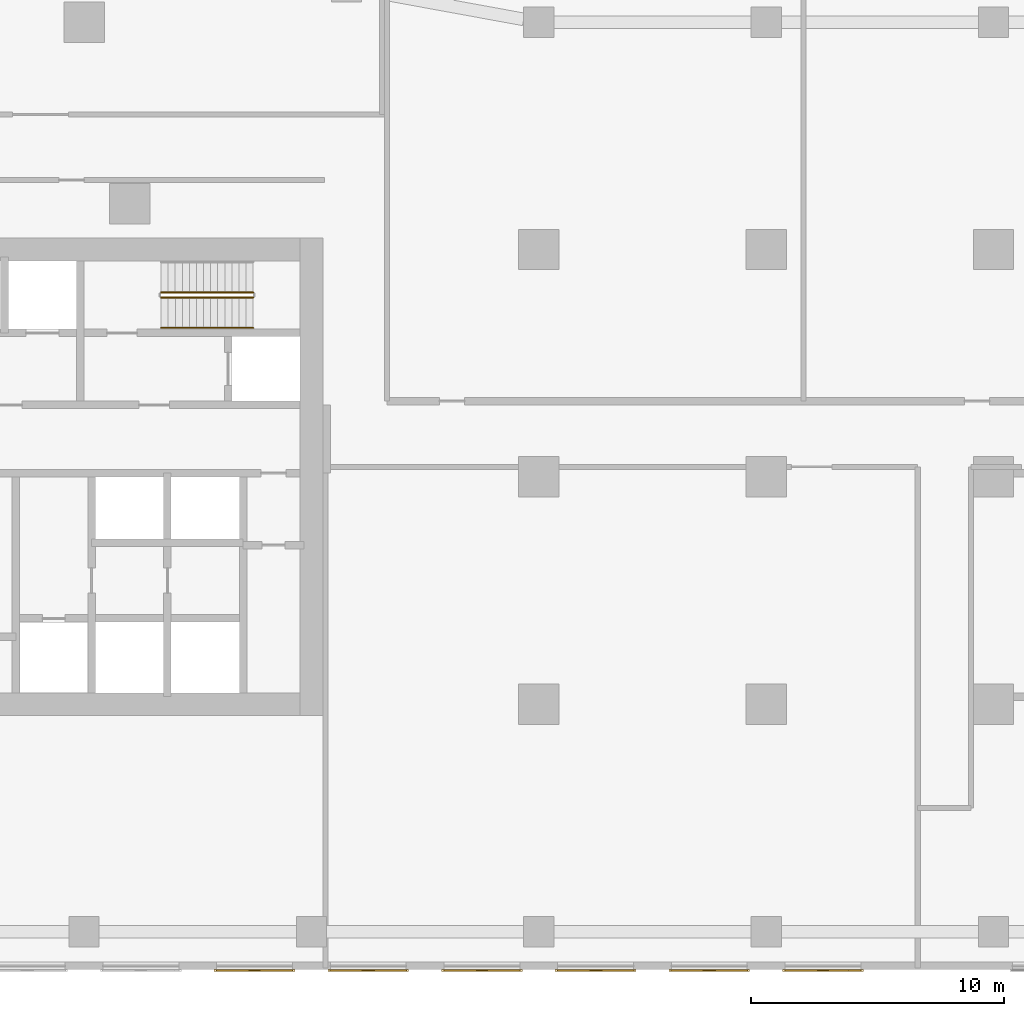
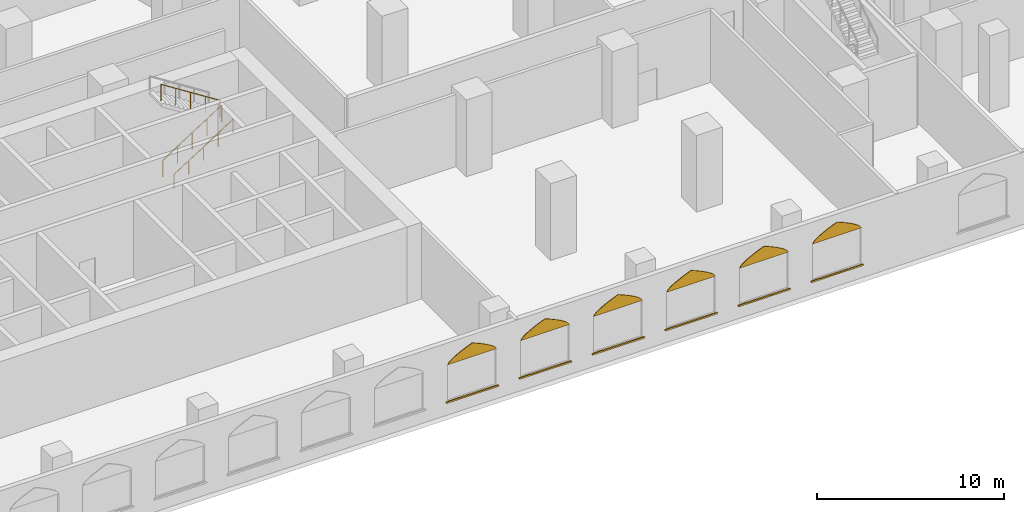
# One storey, part 21 of 31: 12 coverings, 3 railings.
"""IFC4 building model written with IfcOpenShell, lengths in metres."""

from ifc_helpers import new_model, si_unit, direction, frame, origin, origin_2d, place, context, subcontext, project, spatial, polyline, rectangle, circle, outline, extrude, material, layer, layer_set, type_object, element, save


model = new_model("IFC4")

# Units and contexts
model_context = context("Model", 3, precision=1e-05, world=origin(), true_north=direction((0.0, 1.0)))
body_context = subcontext(model_context, "Body", "Model", "MODEL_VIEW")
ifc_project = project(units=[si_unit("LENGTHUNIT", "METRE"), si_unit("AREAUNIT", "SQUARE_METRE"), si_unit("VOLUMEUNIT", "CUBIC_METRE"), si_unit("PLANEANGLEUNIT", "RADIAN"), si_unit("MASSUNIT", "GRAM", prefix="KILO")], contexts=[model_context])

# Site, building, storey
site_placement = place(None, origin())
site = spatial("IfcSite", under=ifc_project, at=site_placement, CompositionType="ELEMENT")
building_placement = place(site_placement, origin())
building = spatial("IfcBuilding", under=site, at=building_placement, Name="Ogive Portal Towers", CompositionType="ELEMENT")
storey_placement = place(building_placement, frame((0.0, 0.0, 13.5)))
storey = spatial("IfcBuildingStorey", under=building, at=storey_placement, Name="L02", CompositionType="ELEMENT", Elevation=13.5)

# Railings
ifc_material_1 = material(Name="Stainless steel balustrade", Category="steel")
railing_type_1 = type_object("IfcRailingType", Name="INT-GUARD", PredefinedType="GUARDRAIL", material=ifc_material_1)
railing_1_placement = place(storey_placement, frame((52.550048828125, 37.60009765625, 0.178466796875)))
element("IfcRailing", 1, at=railing_1_placement, inside=storey, type_object=railing_type_1, Name="L02 ST-A2 stair guard 1", PredefinedType="GUARDRAIL", context=body_context, shape_type="SweptSolid", body=[
    extrude(circle(Radius=0.02392578125, at=origin_2d()), frame((0.0, 0.0, 1.076171875), z_axis=(0.843111507901, 0.0, 0.53773877045), x_axis=(0.0, 1.0, 0.0)), (0.0, 0.0, 1.0), 4.317138671875),
    extrude(circle(Radius=0.02099609375, at=origin_2d()), origin(), (0.0, 0.0, 1.0), 1.052001953125),
    extrude(circle(Radius=0.02099609375, at=origin_2d()), frame((0.909912109375, 0.0, 0.580322265625)), (0.0, 0.0, 1.0), 1.052001953125),
    extrude(circle(Radius=0.02099609375, at=origin_2d()), frame((1.81982421875, 0.0, 1.16064453125)), (0.0, 0.0, 1.0), 1.052001953125),
    extrude(circle(Radius=0.02099609375, at=origin_2d()), frame((2.72998046875, 0.0, 1.7412109375)), (0.0, 0.0, 1.0), 1.052001953125),
    extrude(circle(Radius=0.02099609375, at=origin_2d()), frame((3.639892578125, 0.0, 2.321533203125)), (0.0, 0.0, 1.0), 1.052001953125),
])
railing_2_placement = place(storey_placement, frame((56.18994140625, 37.800048828125, 2.678466796875)))
element("IfcRailing", 2, at=railing_2_placement, inside=storey, type_object=railing_type_1, Name="L02 ST-A2 stair guard 3", PredefinedType="GUARDRAIL", context=body_context, shape_type="SweptSolid", body=[
    extrude(circle(Radius=0.02392578125, at=origin_2d()), frame((0.0, 0.0, 1.076171875), z_axis=(-0.843111507901, 0.0, 0.53773877045), x_axis=(0.0, -1.0, 0.0)), (0.0, 0.0, 1.0), 4.317138671875),
    extrude(circle(Radius=0.02099609375, at=origin_2d()), origin(), (0.0, 0.0, 1.0), 1.052001953125),
    extrude(circle(Radius=0.02099609375, at=origin_2d()), frame((-0.909912109375, 0.0, 0.580322265625)), (0.0, 0.0, 1.0), 1.052001953125),
    extrude(circle(Radius=0.02099609375, at=origin_2d()), frame((-1.81982421875, 0.0, 1.16064453125)), (0.0, 0.0, 1.0), 1.052001953125),
    extrude(circle(Radius=0.02099609375, at=origin_2d()), frame((-2.72998046875, 0.0, 1.7412109375)), (0.0, 0.0, 1.0), 1.052001953125),
    extrude(circle(Radius=0.02099609375, at=origin_2d()), frame((-3.639892578125, 0.0, 2.321533203125)), (0.0, 0.0, 1.0), 1.052001953125),
])
ifc_material_2 = material(Name="Stainless steel handrail", Category="steel")
railing_type_2 = type_object("IfcRailingType", Name="INT-HANDRAIL", PredefinedType="HANDRAIL", material=ifc_material_2)
railing_3_placement = place(storey_placement, frame((52.550048828125, 36.39990234375, 0.178466796875)))
element("IfcRailing", 3, at=railing_3_placement, inside=storey, type_object=railing_type_2, Name="L02 ST-A2 stair handrail 1", PredefinedType="HANDRAIL", context=body_context, shape_type="SweptSolid", body=[
    extrude(circle(Radius=0.02392578125, at=origin_2d()), frame((0.0, 0.0, 0.8759765625), z_axis=(0.843111507901, 0.0, 0.53773877045), x_axis=(0.0, 1.0, 0.0)), (0.0, 0.0, 1.0), 4.317138671875),
    extrude(circle(Radius=0.02099609375, at=origin_2d()), origin(), (0.0, 0.0, 1.0), 0.851806640625),
    extrude(circle(Radius=0.02099609375, at=origin_2d()), frame((0.909912109375, 0.0, 0.580322265625)), (0.0, 0.0, 1.0), 0.851806640625),
    extrude(circle(Radius=0.02099609375, at=origin_2d()), frame((1.81982421875, 0.0, 1.16064453125)), (0.0, 0.0, 1.0), 0.851806640625),
    extrude(circle(Radius=0.02099609375, at=origin_2d()), frame((2.72998046875, 0.0, 1.7412109375)), (0.0, 0.0, 1.0), 0.851806640625),
    extrude(circle(Radius=0.02099609375, at=origin_2d()), frame((3.639892578125, 0.0, 2.321533203125)), (0.0, 0.0, 1.0), 0.851806640625),
])

# Coverings
ifc_material_3 = material(Name="Limestone cladding on lightweight block wall", Category="masonry")
ifc_layer_1 = layer(ifc_material_3, 0.0400390625)
ifc_layer_set_1 = layer_set([ifc_layer_1], Name="LANCET HEAD STONE")
covering_type_1 = type_object("IfcCoveringType", Name="LANCET HEAD STONE", PredefinedType="CLADDING", material=ifc_layer_set_1)
for number, where, z_axis, x_axis, name in (
    (4, (54.75, 11.0, 3.300048828125), (0.0, 0.999950056531, 0.009994220538), (1.0, 0.0, 0.0), "Lancet head"),
    (5, (59.25, 11.0, 3.300048828125), (0.0, 0.999950056531, 0.009994220538), (1.0, 0.0, 0.0), "Lancet head"),
    (6, (63.75, 11.0, 3.300048828125), (0.0, 0.999950056531, 0.009994220538), (1.0, 0.0, 0.0), "Lancet head"),
    (7, (68.25, 11.0, 3.300048828125), (0.0, 0.999950056531, 0.009994220538), (1.0, 0.0, 0.0), "Lancet head"),
    (8, (72.75, 11.0, 3.300048828125), (0.0, 0.999950056531, 0.009994220538), (1.0, 0.0, 0.0), "Lancet head"),
    (9, (77.25, 11.0, 3.300048828125), (0.0, 0.999950056531, 0.009994220538), (1.0, 0.0, 0.0), "Lancet head"),
):
    element("IfcCovering", number, at=place(storey_placement, frame(where, z_axis=z_axis, x_axis=x_axis)), inside=storey, type_object=covering_type_1, Name=name, PredefinedType="CLADDING", context=body_context, shape_type="SweptSolid", body=[
        extrude(outline(polyline([(0.0, 0.0), (3.0, 0.0), (2.93359375, -0.11255540702230543), (2.8125, -0.22486424561759202), (2.655517578125, -0.3374196526398974), (2.4697265625, -0.4499726196669543), (2.2587890625, -0.5625280266892596), (2.025634765625, -0.6750834337115651), (1.772216796875, -0.7873922723068517), (1.5, -0.8999476793291572), (1.227783203125, -0.7873922723068517), (0.974365234375, -0.6750834337115651), (0.7412109375, -0.5625280266892596), (0.5302734375, -0.4499726196669543), (0.344482421875, -0.3374196526398974), (0.1875, -0.22486424561759202), (0.06640625, -0.11255540702230543), (0.0, 0.0)])), origin(), (0.0, 0.0, -1.0), 0.0400390625),
    ])
ifc_layer_2 = layer(ifc_material_3, 0.080078125)
ifc_layer_set_2 = layer_set([ifc_layer_2], Name="STONE SILL 80")
covering_type_2 = type_object("IfcCoveringType", Name="STONE SILL 80", PredefinedType="CLADDING", material=ifc_layer_set_2)
for number, where, z_axis, x_axis, name in (
    (10, (56.25, 10.9599609375, 0.840087890625), (0.0, 0.0, 1.0), (1.0, 0.0, 0.0), "Stone sill"),
    (11, (60.75, 10.9599609375, 0.840087890625), (0.0, 0.0, 1.0), (1.0, 0.0, 0.0), "Stone sill"),
    (12, (65.25, 10.9599609375, 0.840087890625), (0.0, 0.0, 1.0), (1.0, 0.0, 0.0), "Stone sill"),
    (13, (69.75, 10.9599609375, 0.840087890625), (0.0, 0.0, 1.0), (1.0, 0.0, 0.0), "Stone sill"),
    (14, (74.25, 10.9599609375, 0.840087890625), (0.0, 0.0, 1.0), (1.0, 0.0, 0.0), "Stone sill"),
    (15, (78.75, 10.9599609375, 0.840087890625), (0.0, 0.0, 1.0), (1.0, 0.0, 0.0), "Stone sill"),
):
    element("IfcCovering", number, at=place(storey_placement, frame(where, z_axis=z_axis, x_axis=x_axis)), inside=storey, type_object=covering_type_2, Name=name, PredefinedType="CLADDING", context=body_context, shape_type="SweptSolid", body=[
        extrude(rectangle(XDim=3.199951171875, YDim=0.080078125, at=origin_2d()), origin(), (0.0, 0.0, 1.0), 0.06005859375),
    ])

save(model, "model.ifc")
